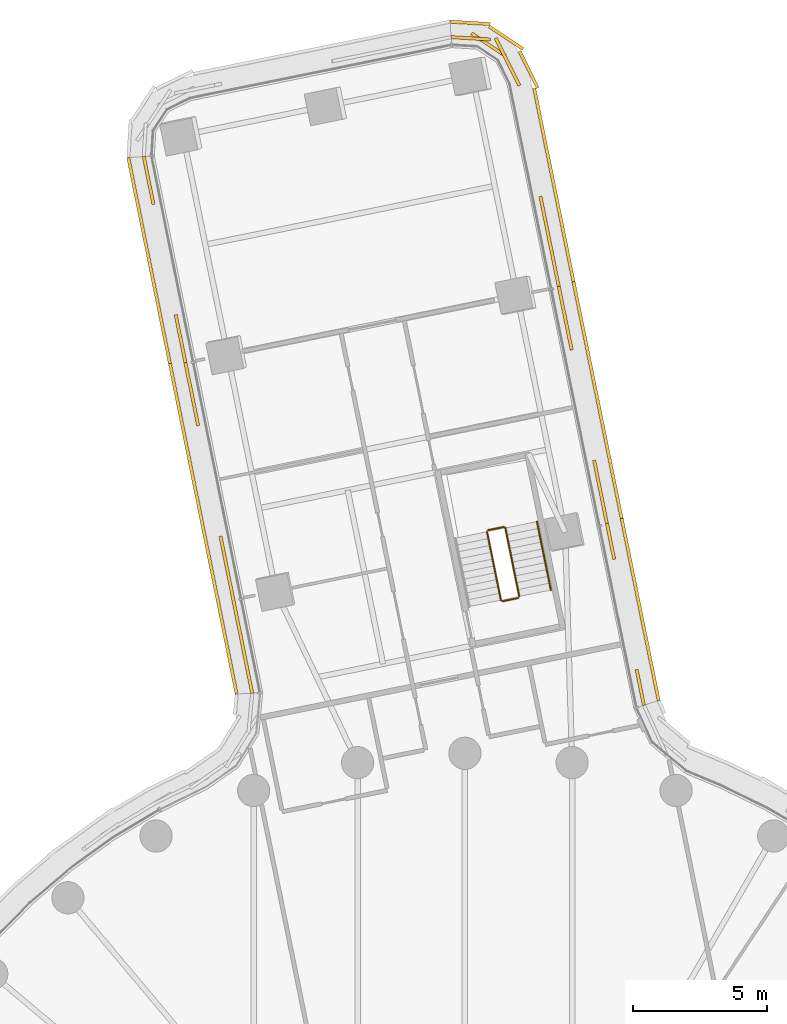
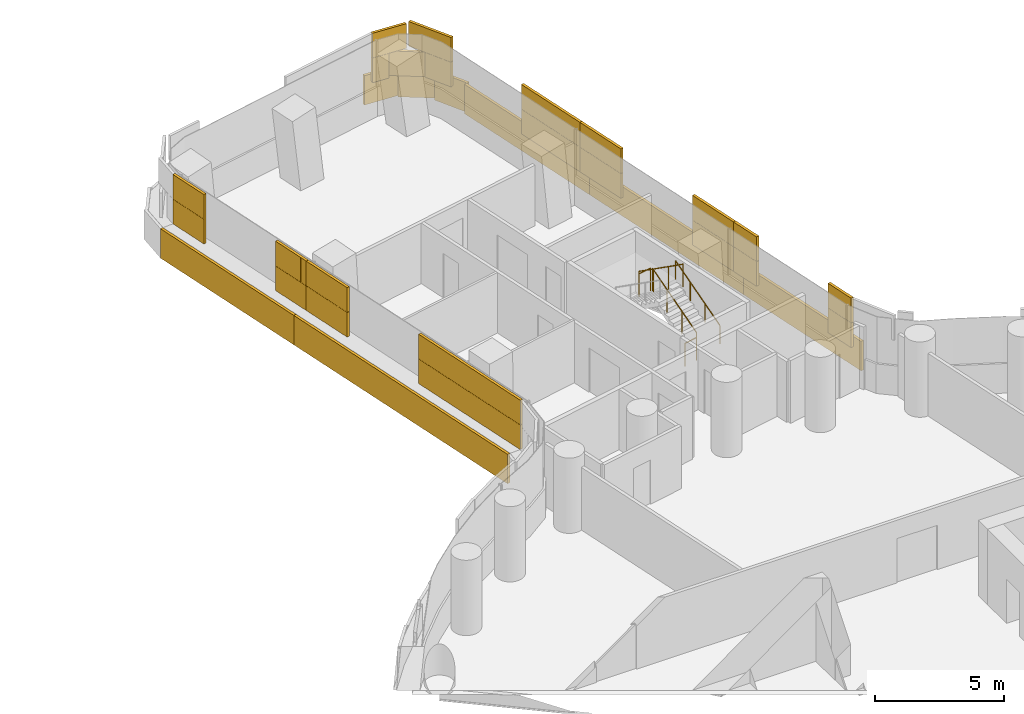
# One storey, part 30 of 31: 5 coverings, 5 railings.
"""IFC4 building model written with IfcOpenShell, lengths in metres."""

from ifc_helpers import new_model, si_unit, direction, frame, origin, origin_2d, place, context, subcontext, project, spatial, rectangle, circle, extrude, material, layer, layer_set, type_object, element, save


model = new_model("IFC4")

# Units and contexts
model_context = context("Model", 3, precision=1e-05, world=origin(), true_north=direction((0.0, 1.0)))
body_context = subcontext(model_context, "Body", "Model", "MODEL_VIEW")
ifc_project = project(units=[si_unit("LENGTHUNIT", "METRE"), si_unit("AREAUNIT", "SQUARE_METRE"), si_unit("VOLUMEUNIT", "CUBIC_METRE"), si_unit("PLANEANGLEUNIT", "RADIAN"), si_unit("MASSUNIT", "GRAM", prefix="KILO")], contexts=[model_context])

# Site, building, storey
site_placement = place(None, origin())
site = spatial("IfcSite", under=ifc_project, at=site_placement, CompositionType="ELEMENT")
building_placement = place(site_placement, origin())
building = spatial("IfcBuilding", under=site, at=building_placement, Name="Tamarind Cross Interchange Tower", CompositionType="ELEMENT")
storey_placement = place(building_placement, frame((0.0, 0.0, 75.25)))
storey = spatial("IfcBuildingStorey", under=building, at=storey_placement, Name="L17", CompositionType="ELEMENT", Elevation=75.25)

# Railings
ifc_material_1 = material(Name="Stair guard")
railing_type_1 = type_object("IfcRailingType", Name="Stair guard", PredefinedType="GUARDRAIL", material=ifc_material_1)
railing_1_placement = place(storey_placement, frame((2.027587890625, 28.841064453125, 0.17041015625)))
element("IfcRailing", 1, at=railing_1_placement, inside=storey, type_object=railing_type_1, Name="L17 ST4 stair guard 1", PredefinedType="GUARDRAIL", context=body_context, shape_type="SweptSolid", body=[
    extrude(circle(Radius=0.02392578125, at=origin_2d()), frame((0.0, 0.0, 1.076171875), z_axis=(-0.166637125559, 0.819521697612, 0.548284830656), x_axis=(-0.979947229577, -0.199257188689, 0.0)), (0.0, 0.0, 1.0), 3.10888671875),
    extrude(circle(Radius=0.02099609375, at=origin_2d()), origin(), (0.0, 0.0, 1.0), 1.052001953125),
    extrude(circle(Radius=0.02099609375, at=origin_2d()), frame((-0.172607421875, 0.849365234375, 0.568115234375)), (0.0, 0.0, 1.0), 1.052001953125),
    extrude(circle(Radius=0.02099609375, at=origin_2d()), frame((-0.345458984375, 1.698486328125, 1.136474609375)), (0.0, 0.0, 1.0), 1.052001953125),
    extrude(circle(Radius=0.02099609375, at=origin_2d()), frame((-0.51806640625, 2.5478515625, 1.70458984375)), (0.0, 0.0, 1.0), 1.052001953125),
])
railing_2_placement = place(storey_placement, frame((1.45068359375, 31.427978515625, 1.875)))
element("IfcRailing", 2, at=railing_2_placement, inside=storey, type_object=railing_type_1, Name="L17 ST4 stair guard 2", PredefinedType="GUARDRAIL", context=body_context, shape_type="SweptSolid", body=[
    extrude(circle(Radius=0.02392578125, at=origin_2d()), frame((0.0, 0.0, 1.076171875), z_axis=(-0.980013351067, -0.198931726306, 0.0), x_axis=(0.198931726306, -0.980013351067, 0.0)), (0.0, 0.0, 1.0), 0.60009765625),
    extrude(circle(Radius=0.02099609375, at=origin_2d()), origin(), (0.0, 0.0, 1.0), 1.052001953125),
    extrude(circle(Radius=0.02099609375, at=origin_2d()), frame((-0.588134765625, -0.119384765625, 0.0)), (0.0, 0.0, 1.0), 1.052001953125),
])
railing_3_placement = place(storey_placement, frame((0.823486328125, 31.24951171875, 2.04541015625)))
element("IfcRailing", 3, at=railing_3_placement, inside=storey, type_object=railing_type_1, Name="L17 ST4 stair guard 3", PredefinedType="GUARDRAIL", context=body_context, shape_type="SweptSolid", body=[
    extrude(circle(Radius=0.02392578125, at=origin_2d()), frame((0.0, 0.0, 1.076171875), z_axis=(0.166637125559, -0.819521697612, 0.548284830656), x_axis=(0.979947229577, 0.199257188689, 0.0)), (0.0, 0.0, 1.0), 3.10888671875),
    extrude(circle(Radius=0.02099609375, at=origin_2d()), origin(), (0.0, 0.0, 1.0), 1.052001953125),
    extrude(circle(Radius=0.02099609375, at=origin_2d()), frame((0.172607421875, -0.849365234375, 0.568115234375)), (0.0, 0.0, 1.0), 1.052001953125),
    extrude(circle(Radius=0.02099609375, at=origin_2d()), frame((0.345458984375, -1.698486328125, 1.136474609375)), (0.0, 0.0, 1.0), 1.052001953125),
    extrude(circle(Radius=0.02099609375, at=origin_2d()), frame((0.51806640625, -2.5478515625, 1.70458984375)), (0.0, 0.0, 1.0), 1.052001953125),
])
railing_4_placement = place(storey_placement, frame((1.988525390625, 28.7822265625, 0.0)))
element("IfcRailing", 4, at=railing_4_placement, inside=storey, type_object=railing_type_1, Name="L17 ST4 stair guard 4", PredefinedType="GUARDRAIL", context=body_context, shape_type="SweptSolid", body=[
    extrude(circle(Radius=0.02392578125, at=origin_2d()), frame((0.0, 0.0, 1.076171875), z_axis=(-0.979917798202, -0.199401877541, 0.0), x_axis=(0.199401877541, -0.979917798202, 0.0)), (0.0, 0.0, 1.0), 0.599853515625),
    extrude(circle(Radius=0.02099609375, at=origin_2d()), origin(), (0.0, 0.0, 1.0), 1.052001953125),
    extrude(circle(Radius=0.02099609375, at=origin_2d()), frame((-0.587890625, -0.11962890625, 0.0)), (0.0, 0.0, 1.0), 1.052001953125),
])
ifc_material_2 = material(Name="Stair handrail")
railing_type_2 = type_object("IfcRailingType", Name="Stair handrail", PredefinedType="HANDRAIL", material=ifc_material_2)
railing_5_placement = place(storey_placement, frame((3.20361328125, 29.080322265625, 0.17041015625)))
element("IfcRailing", 5, at=railing_5_placement, inside=storey, type_object=railing_type_2, Name="L17 ST4 stair handrail 1", PredefinedType="HANDRAIL", context=body_context, shape_type="SweptSolid", body=[
    extrude(circle(Radius=0.02392578125, at=origin_2d()), frame((0.0, 0.0, 0.8759765625), z_axis=(-0.166637125559, 0.819521697612, 0.548284830656), x_axis=(-0.979947229577, -0.199257188689, 0.0)), (0.0, 0.0, 1.0), 3.10888671875),
    extrude(circle(Radius=0.02099609375, at=origin_2d()), origin(), (0.0, 0.0, 1.0), 0.851806640625),
    extrude(circle(Radius=0.02099609375, at=origin_2d()), frame((-0.172607421875, 0.849365234375, 0.568115234375)), (0.0, 0.0, 1.0), 0.851806640625),
    extrude(circle(Radius=0.02099609375, at=origin_2d()), frame((-0.345458984375, 1.698486328125, 1.136474609375)), (0.0, 0.0, 1.0), 0.851806640625),
    extrude(circle(Radius=0.02099609375, at=origin_2d()), frame((-0.51806640625, 2.5478515625, 1.70458984375)), (0.0, 0.0, 1.0), 0.851806640625),
])

# Coverings
ifc_material_3 = material(Name="Terracotta", Category="masonry")
ifc_layer = layer(ifc_material_3, 0.1201171875)
ifc_layer_set = layer_set([ifc_layer], Name="Terracotta")
covering_type = type_object("IfcCoveringType", Name="Terracotta baguette screen unit", PredefinedType="MOLDING", material=ifc_layer_set)
covering_1_placement = place(storey_placement, origin())
element("IfcCovering", 6, at=covering_1_placement, inside=storey, type_object=covering_type, Name="SCR-L17-11-00", PredefinedType="MOLDING", context=body_context, shape_type="SweptSolid", body=[
    extrude(rectangle(XDim=0.760009765625, YDim=0.1201171875, at=origin_2d()), frame((6.593505859375, 25.15576171875, 1.404052734375), z_axis=(0.0, 0.0, 1.0), x_axis=(-0.199244791873, 0.979949750197, 0.0)), (0.0, 0.0, 1.0), 1.1669921875),
    extrude(rectangle(XDim=0.613525390625, YDim=0.1201171875, at=origin_2d()), frame((6.45849609375, 25.81884765625, 1.404052734375), z_axis=(0.0, 0.0, 1.0), x_axis=(-0.199244791873, 0.979949750197, 0.0)), (0.0, 0.0, 1.0), 1.1669921875),
    extrude(rectangle(XDim=1.20654296875, YDim=0.1201171875, at=origin_2d()), frame((5.4423828125, 30.816650390625, 1.404052734375), z_axis=(0.0, 0.0, 1.0), x_axis=(-0.199244791873, 0.979949750197, 0.0)), (0.0, 0.0, 1.0), 1.1669921875),
    extrude(rectangle(XDim=0.1669921875, YDim=0.1201171875, at=origin_2d()), frame((5.3076171875, 31.479736328125, 1.404052734375), z_axis=(0.0, 0.0, 1.0), x_axis=(-0.199244791873, 0.979949750197, 0.0)), (0.0, 0.0, 1.0), 1.1669921875),
    extrude(rectangle(XDim=1.353515625, YDim=0.1201171875, at=origin_2d()), frame((6.533447265625, 25.451416015625, 2.5791015625), z_axis=(0.0, 0.0, 1.0), x_axis=(-0.199244791873, 0.979949750197, 0.0)), (0.0, 0.0, 1.0), 1.1669921875),
    extrude(rectangle(XDim=0.45654296875, YDim=0.1201171875, at=origin_2d()), frame((5.51708984375, 30.44921875, 2.5791015625), z_axis=(0.0, 0.0, 1.0), x_axis=(-0.199244791873, 0.979949750197, 0.0)), (0.0, 0.0, 1.0), 1.1669921875),
    extrude(rectangle(XDim=0.9169921875, YDim=0.1201171875, at=origin_2d()), frame((5.38232421875, 31.1123046875, 2.5791015625), z_axis=(0.0, 0.0, 1.0), x_axis=(-0.199244791873, 0.979949750197, 0.0)), (0.0, 0.0, 1.0), 1.1669921875),
    extrude(rectangle(XDim=0.760009765625, YDim=0.1201171875, at=origin_2d()), frame((7.141845703125, 25.3388671875, 0.00390625), z_axis=(0.0, 0.0, 1.0), x_axis=(-0.199244791873, 0.979949750197, 0.0)), (0.0, 0.0, 1.0), 1.39208984375),
    extrude(rectangle(XDim=1.52001953125, YDim=0.1201171875, at=origin_2d()), frame((6.918701171875, 26.4365234375, 0.00390625), z_axis=(0.0, 0.0, 1.0), x_axis=(-0.199244791873, 0.979949750197, 0.0)), (0.0, 0.0, 1.0), 1.39208984375),
    extrude(rectangle(XDim=1.52001953125, YDim=0.1201171875, at=origin_2d()), frame((6.619873046875, 27.906494140625, 0.00390625), z_axis=(0.0, 0.0, 1.0), x_axis=(-0.199244791873, 0.979949750197, 0.0)), (0.0, 0.0, 1.0), 1.39208984375),
    extrude(rectangle(XDim=1.52001953125, YDim=0.1201171875, at=origin_2d()), frame((6.321044921875, 29.37646484375, 0.00390625), z_axis=(0.0, 0.0, 1.0), x_axis=(-0.199244791873, 0.979949750197, 0.0)), (0.0, 0.0, 1.0), 1.39208984375),
    extrude(rectangle(XDim=1.52001953125, YDim=0.1201171875, at=origin_2d()), frame((6.022216796875, 30.84619140625, 0.00390625), z_axis=(0.0, 0.0, 1.0), x_axis=(-0.199244791873, 0.979949750197, 0.0)), (0.0, 0.0, 1.0), 1.39208984375),
    extrude(rectangle(XDim=0.169921875, YDim=0.1201171875, at=origin_2d()), frame((5.85791015625, 31.65478515625, 0.00390625), z_axis=(0.0, 0.0, 1.0), x_axis=(-0.199244791873, 0.979949750197, 0.0)), (0.0, 0.0, 1.0), 1.39208984375),
])
covering_2_placement = place(storey_placement, origin())
element("IfcCovering", 7, at=covering_2_placement, inside=storey, type_object=covering_type, Name="SCR-L17-11-01", PredefinedType="MOLDING", context=body_context, shape_type="SweptSolid", body=[
    extrude(rectangle(XDim=1.35302734375, YDim=0.1201171875, at=origin_2d()), frame((5.158203125, 32.21484375, 1.404052734375), z_axis=(0.0, 0.0, 1.0), x_axis=(-0.199244791873, 0.979949750197, 0.0)), (0.0, 0.0, 1.0), 1.1669921875),
    extrude(rectangle(XDim=1.0673828125, YDim=0.1201171875, at=origin_2d()), frame((4.9189453125, 33.390869140625, 1.404052734375), z_axis=(0.0, 0.0, 1.0), x_axis=(-0.199244791873, 0.979949750197, 0.0)), (0.0, 0.0, 1.0), 1.1669921875),
    extrude(rectangle(XDim=0.752685546875, YDim=0.1201171875, at=origin_2d()), frame((3.90283203125, 38.388671875, 1.404052734375), z_axis=(0.0, 0.0, 1.0), x_axis=(-0.199244791873, 0.979949750197, 0.0)), (0.0, 0.0, 1.0), 1.1669921875),
    extrude(rectangle(XDim=1.52001953125, YDim=0.1201171875, at=origin_2d()), frame((3.679443359375, 39.4873046875, 1.404052734375), z_axis=(0.0, 0.0, 1.0), x_axis=(-0.199244791873, 0.979949750197, 0.0)), (0.0, 0.0, 1.0), 1.1669921875),
    extrude(rectangle(XDim=0.16748046875, YDim=0.1201171875, at=origin_2d()), frame((3.514404296875, 40.299560546875, 1.404052734375), z_axis=(0.0, 0.0, 1.0), x_axis=(-0.199244791873, 0.979949750197, 0.0)), (0.0, 0.0, 1.0), 1.1669921875),
    extrude(rectangle(XDim=0.60302734375, YDim=0.1201171875, at=origin_2d()), frame((5.23291015625, 31.84716796875, 2.5791015625), z_axis=(0.0, 0.0, 1.0), x_axis=(-0.199244791873, 0.979949750197, 0.0)), (0.0, 0.0, 1.0), 1.1669921875),
    extrude(rectangle(XDim=1.52001953125, YDim=0.1201171875, at=origin_2d()), frame((5.0244140625, 32.872802734375, 2.5791015625), z_axis=(0.0, 0.0, 1.0), x_axis=(-0.199244791873, 0.979949750197, 0.0)), (0.0, 0.0, 1.0), 1.1669921875),
    extrude(rectangle(XDim=0.3173828125, YDim=0.1201171875, at=origin_2d()), frame((4.84423828125, 33.75830078125, 2.5791015625), z_axis=(0.0, 0.0, 1.0), x_axis=(-0.199244791873, 0.979949750197, 0.0)), (0.0, 0.0, 1.0), 1.1669921875),
    extrude(rectangle(XDim=1.502685546875, YDim=0.1201171875, at=origin_2d()), frame((3.828125, 38.756103515625, 2.5791015625), z_axis=(0.0, 0.0, 1.0), x_axis=(-0.199244791873, 0.979949750197, 0.0)), (0.0, 0.0, 1.0), 1.1669921875),
    extrude(rectangle(XDim=0.91748046875, YDim=0.1201171875, at=origin_2d()), frame((3.589111328125, 39.93212890625, 2.5791015625), z_axis=(0.0, 0.0, 1.0), x_axis=(-0.199244791873, 0.979949750197, 0.0)), (0.0, 0.0, 1.0), 1.1669921875),
    extrude(rectangle(XDim=1.349853515625, YDim=0.1201171875, at=origin_2d()), frame((5.706298828125, 32.3994140625, 0.00390625), z_axis=(0.0, 0.0, 1.0), x_axis=(-0.199244791873, 0.979949750197, 0.0)), (0.0, 0.0, 1.0), 1.39208984375),
    extrude(rectangle(XDim=1.52001953125, YDim=0.1201171875, at=origin_2d()), frame((5.42431640625, 33.7861328125, 0.00390625), z_axis=(0.0, 0.0, 1.0), x_axis=(-0.199244791873, 0.979949750197, 0.0)), (0.0, 0.0, 1.0), 1.39208984375),
    extrude(rectangle(XDim=1.52001953125, YDim=0.1201171875, at=origin_2d()), frame((5.12548828125, 35.256103515625, 0.00390625), z_axis=(0.0, 0.0, 1.0), x_axis=(-0.199244791873, 0.979949750197, 0.0)), (0.0, 0.0, 1.0), 1.39208984375),
    extrude(rectangle(XDim=1.52001953125, YDim=0.1201171875, at=origin_2d()), frame((4.82666015625, 36.72607421875, 0.00390625), z_axis=(0.0, 0.0, 1.0), x_axis=(-0.199244791873, 0.979949750197, 0.0)), (0.0, 0.0, 1.0), 1.39208984375),
    extrude(rectangle(XDim=1.52001953125, YDim=0.1201171875, at=origin_2d()), frame((4.52783203125, 38.19580078125, 0.00390625), z_axis=(0.0, 0.0, 1.0), x_axis=(-0.199244791873, 0.979949750197, 0.0)), (0.0, 0.0, 1.0), 1.39208984375),
    extrude(rectangle(XDim=1.52001953125, YDim=0.1201171875, at=origin_2d()), frame((4.22900390625, 39.665771484375, 0.00390625), z_axis=(0.0, 0.0, 1.0), x_axis=(-0.199244791873, 0.979949750197, 0.0)), (0.0, 0.0, 1.0), 1.39208984375),
    extrude(rectangle(XDim=0.17431640625, YDim=0.1201171875, at=origin_2d()), frame((4.064208984375, 40.4765625, 0.00390625), z_axis=(0.0, 0.0, 1.0), x_axis=(-0.199244791873, 0.979949750197, 0.0)), (0.0, 0.0, 1.0), 1.39208984375),
])
covering_3_placement = place(storey_placement, origin())
element("IfcCovering", 8, at=covering_3_placement, inside=storey, type_object=covering_type, Name="SCR-L17-11-02", PredefinedType="MOLDING", context=body_context, shape_type="SweptSolid", body=[
    extrude(rectangle(XDim=1.3525390625, YDim=0.1201171875, at=origin_2d()), frame((3.364990234375, 41.03466796875, 1.404052734375), z_axis=(0.0, 0.0, 1.0), x_axis=(-0.199244791873, 0.979949750197, 0.0)), (0.0, 0.0, 1.0), 1.1669921875),
    extrude(rectangle(XDim=1.52001953125, YDim=0.1201171875, at=origin_2d()), frame((3.081787109375, 42.42724609375, 1.404052734375), z_axis=(0.0, 0.0, 1.0), x_axis=(-0.199244791873, 0.979949750197, 0.0)), (0.0, 0.0, 1.0), 1.1669921875),
    extrude(rectangle(XDim=0.594970703125, YDim=0.1201171875, at=origin_2d()), frame((2.8740234375, 43.44873046875, 1.404052734375), z_axis=(0.0, 0.0, 1.0), x_axis=(-0.199244791873, 0.979949750197, 0.0)), (0.0, 0.0, 1.0), 1.1669921875),
    extrude(rectangle(XDim=1.22509765625, YDim=0.1201171875, at=origin_2d()), frame((1.757568359375, 48.412109375, 1.404052734375), z_axis=(0.0, 0.0, 1.0), x_axis=(-0.446085348818, 0.894990425407, 0.0)), (0.0, 0.0, 1.0), 1.1669921875),
    extrude(rectangle(XDim=1.52001953125, YDim=0.1201171875, at=origin_2d()), frame((0.883544921875, 49.3896484375, 1.404052734375), z_axis=(0.0, 0.0, 1.0), x_axis=(-0.833816457036, 0.552041770137, 0.0)), (0.0, 0.0, 1.0), 1.1669921875),
    extrude(rectangle(XDim=0.72216796875, YDim=0.1201171875, at=origin_2d()), frame((-0.15625, 49.649169921875, 1.404052734375), z_axis=(0.0, 0.0, 1.0), x_axis=(-0.998127118955, 0.061173968371, 0.0)), (0.0, 0.0, 1.0), 1.1669921875),
    extrude(rectangle(XDim=0.6025390625, YDim=0.1201171875, at=origin_2d()), frame((3.439697265625, 40.6669921875, 2.5791015625), z_axis=(0.0, 0.0, 1.0), x_axis=(-0.199244791873, 0.979949750197, 0.0)), (0.0, 0.0, 1.0), 1.1669921875),
    extrude(rectangle(XDim=1.52001953125, YDim=0.1201171875, at=origin_2d()), frame((3.231201171875, 41.6923828125, 2.5791015625), z_axis=(0.0, 0.0, 1.0), x_axis=(-0.199244791873, 0.979949750197, 0.0)), (0.0, 0.0, 1.0), 1.1669921875),
    extrude(rectangle(XDim=1.344970703125, YDim=0.1201171875, at=origin_2d()), frame((2.94873046875, 43.081298828125, 2.5791015625), z_axis=(0.0, 0.0, 1.0), x_axis=(-0.199244791873, 0.979949750197, 0.0)), (0.0, 0.0, 1.0), 1.1669921875),
    extrude(rectangle(XDim=0.47509765625, YDim=0.1201171875, at=origin_2d()), frame((1.9248046875, 48.076416015625, 2.5791015625), z_axis=(0.0, 0.0, 1.0), x_axis=(-0.446085348818, 0.894990425407, 0.0)), (0.0, 0.0, 1.0), 1.1669921875),
    extrude(rectangle(XDim=1.52001953125, YDim=0.1201171875, at=origin_2d()), frame((1.486572265625, 48.955810546875, 2.5791015625), z_axis=(0.0, 0.0, 1.0), x_axis=(-0.446085348818, 0.894990425407, 0.0)), (0.0, 0.0, 1.0), 1.1669921875),
    extrude(rectangle(XDim=1.47216796875, YDim=0.1201171875, at=origin_2d()), frame((0.218017578125, 49.626220703125, 2.5791015625), z_axis=(0.0, 0.0, 1.0), x_axis=(-0.998127118955, 0.061173968371, 0.0)), (0.0, 0.0, 1.0), 1.1669921875),
    extrude(rectangle(XDim=1.345458984375, YDim=0.1201171875, at=origin_2d()), frame((3.912841796875, 41.22119140625, 0.00390625), z_axis=(0.0, 0.0, 1.0), x_axis=(-0.199244791873, 0.979949750197, 0.0)), (0.0, 0.0, 1.0), 1.39208984375),
    extrude(rectangle(XDim=1.52001953125, YDim=0.1201171875, at=origin_2d()), frame((3.63134765625, 42.605712890625, 0.00390625), z_axis=(0.0, 0.0, 1.0), x_axis=(-0.199244791873, 0.979949750197, 0.0)), (0.0, 0.0, 1.0), 1.39208984375),
    extrude(rectangle(XDim=1.52001953125, YDim=0.1201171875, at=origin_2d()), frame((3.332275390625, 44.07568359375, 0.00390625), z_axis=(0.0, 0.0, 1.0), x_axis=(-0.199244791873, 0.979949750197, 0.0)), (0.0, 0.0, 1.0), 1.39208984375),
    extrude(rectangle(XDim=1.52001953125, YDim=0.1201171875, at=origin_2d()), frame((3.033447265625, 45.54541015625, 0.00390625), z_axis=(0.0, 0.0, 1.0), x_axis=(-0.199244791873, 0.979949750197, 0.0)), (0.0, 0.0, 1.0), 1.39208984375),
    extrude(rectangle(XDim=1.52001953125, YDim=0.1201171875, at=origin_2d()), frame((2.734619140625, 47.015380859375, 0.00390625), z_axis=(0.0, 0.0, 1.0), x_axis=(-0.199244791873, 0.979949750197, 0.0)), (0.0, 0.0, 1.0), 1.39208984375),
    extrude(rectangle(XDim=1.52001953125, YDim=0.1201171875, at=origin_2d()), frame((2.373291015625, 48.4638671875, 0.00390625), z_axis=(0.0, 0.0, 1.0), x_axis=(-0.446085348818, 0.894990425407, 0.0)), (0.0, 0.0, 1.0), 1.39208984375),
    extrude(rectangle(XDim=1.52001953125, YDim=0.1201171875, at=origin_2d()), frame((1.5283203125, 49.65087890625, 0.00390625), z_axis=(0.0, 0.0, 1.0), x_axis=(-0.833816457036, 0.552041770137, 0.0)), (0.0, 0.0, 1.0), 1.39208984375),
    extrude(rectangle(XDim=1.498779296875, YDim=0.1201171875, at=origin_2d()), frame((0.196044921875, 50.20263671875, 0.00390625), z_axis=(0.0, 0.0, 1.0), x_axis=(-0.998127118955, 0.061173968371, 0.0)), (0.0, 0.0, 1.0), 1.39208984375),
])
covering_4_placement = place(storey_placement, origin())
element("IfcCovering", 9, at=covering_4_placement, inside=storey, type_object=covering_type, Name="SCR-L17-13-00", PredefinedType="MOLDING", context=body_context, shape_type="SweptSolid", body=[
    extrude(rectangle(XDim=0.760009765625, YDim=0.1201171875, at=origin_2d()), frame((-11.882568359375, 44.855712890625, 1.404052734375), z_axis=(0.0, 0.0, 1.0), x_axis=(0.19802282903, -0.980197408272, 0.0)), (0.0, 0.0, 1.0), 1.1669921875),
    extrude(rectangle(XDim=1.07373046875, YDim=0.1201171875, at=origin_2d()), frame((-11.702880859375, 43.966796875, 1.404052734375), z_axis=(0.0, 0.0, 1.0), x_axis=(0.19802282903, -0.980197408272, 0.0)), (0.0, 0.0, 1.0), 1.1669921875),
    extrude(rectangle(XDim=0.746337890625, YDim=0.1201171875, at=origin_2d()), frame((-10.693115234375, 38.9677734375, 1.404052734375), z_axis=(0.0, 0.0, 1.0), x_axis=(0.19802282903, -0.980197408272, 0.0)), (0.0, 0.0, 1.0), 1.1669921875),
    extrude(rectangle(XDim=1.08740234375, YDim=0.1201171875, at=origin_2d()), frame((-10.513427734375, 38.078857421875, 1.404052734375), z_axis=(0.0, 0.0, 1.0), x_axis=(0.19802282903, -0.980197408272, 0.0)), (0.0, 0.0, 1.0), 1.1669921875),
    extrude(rectangle(XDim=1.510009765625, YDim=0.1201171875, at=origin_2d()), frame((-11.808349609375, 44.488037109375, 2.5791015625), z_axis=(0.0, 0.0, 1.0), x_axis=(0.19802282903, -0.980197408272, 0.0)), (0.0, 0.0, 1.0), 1.1669921875),
    extrude(rectangle(XDim=0.32373046875, YDim=0.1201171875, at=origin_2d()), frame((-11.628662109375, 43.59912109375, 2.5791015625), z_axis=(0.0, 0.0, 1.0), x_axis=(0.19802282903, -0.980197408272, 0.0)), (0.0, 0.0, 1.0), 1.1669921875),
    extrude(rectangle(XDim=1.496337890625, YDim=0.1201171875, at=origin_2d()), frame((-10.618896484375, 38.60009765625, 2.5791015625), z_axis=(0.0, 0.0, 1.0), x_axis=(0.19802282903, -0.980197408272, 0.0)), (0.0, 0.0, 1.0), 1.1669921875),
    extrude(rectangle(XDim=0.33740234375, YDim=0.1201171875, at=origin_2d()), frame((-10.439208984375, 37.711181640625, 2.5791015625), z_axis=(0.0, 0.0, 1.0), x_axis=(0.19802282903, -0.980197408272, 0.0)), (0.0, 0.0, 1.0), 1.1669921875),
    extrude(rectangle(XDim=0.760009765625, YDim=0.1201171875, at=origin_2d()), frame((-12.459228515625, 44.810791015625, 0.00390625), z_axis=(0.0, 0.0, 1.0), x_axis=(0.19802282903, -0.980197408272, 0.0)), (0.0, 0.0, 1.0), 1.39208984375),
    extrude(rectangle(XDim=1.52001953125, YDim=0.1201171875, at=origin_2d()), frame((-12.2373046875, 43.712890625, 0.00390625), z_axis=(0.0, 0.0, 1.0), x_axis=(0.19802282903, -0.980197408272, 0.0)), (0.0, 0.0, 1.0), 1.39208984375),
    extrude(rectangle(XDim=1.52001953125, YDim=0.1201171875, at=origin_2d()), frame((-11.940185546875, 42.24267578125, 0.00390625), z_axis=(0.0, 0.0, 1.0), x_axis=(0.19802282903, -0.980197408272, 0.0)), (0.0, 0.0, 1.0), 1.39208984375),
    extrude(rectangle(XDim=1.52001953125, YDim=0.1201171875, at=origin_2d()), frame((-11.643310546875, 40.7724609375, 0.00390625), z_axis=(0.0, 0.0, 1.0), x_axis=(0.19802282903, -0.980197408272, 0.0)), (0.0, 0.0, 1.0), 1.39208984375),
    extrude(rectangle(XDim=1.52001953125, YDim=0.1201171875, at=origin_2d()), frame((-11.34619140625, 39.302001953125, 0.00390625), z_axis=(0.0, 0.0, 1.0), x_axis=(0.19802282903, -0.980197408272, 0.0)), (0.0, 0.0, 1.0), 1.39208984375),
    extrude(rectangle(XDim=1.083740234375, YDim=0.1201171875, at=origin_2d()), frame((-11.09228515625, 38.045654296875, 0.00390625), z_axis=(0.0, 0.0, 1.0), x_axis=(0.19802282903, -0.980197408272, 0.0)), (0.0, 0.0, 1.0), 1.39208984375),
])
covering_5_placement = place(storey_placement, origin())
element("IfcCovering", 10, at=covering_5_placement, inside=storey, type_object=covering_type, Name="SCR-L17-13-01", PredefinedType="MOLDING", context=body_context, shape_type="SweptSolid", body=[
    extrude(rectangle(XDim=0.432373046875, YDim=0.1201171875, at=origin_2d()), frame((-10.364990234375, 37.34375, 1.404052734375), z_axis=(0.0, 0.0, 1.0), x_axis=(0.19802282903, -0.980197408272, 0.0)), (0.0, 0.0, 1.0), 1.1669921875),
    extrude(rectangle(XDim=1.52001953125, YDim=0.1201171875, at=origin_2d()), frame((-10.174560546875, 36.4013671875, 1.404052734375), z_axis=(0.0, 0.0, 1.0), x_axis=(0.19802282903, -0.980197408272, 0.0)), (0.0, 0.0, 1.0), 1.1669921875),
    extrude(rectangle(XDim=0.487060546875, YDim=0.1201171875, at=origin_2d()), frame((-9.978759765625, 35.432373046875, 1.404052734375), z_axis=(0.0, 0.0, 1.0), x_axis=(0.19802282903, -0.980197408272, 0.0)), (0.0, 0.0, 1.0), 1.1669921875),
    extrude(rectangle(XDim=1.332763671875, YDim=0.1201171875, at=origin_2d()), frame((-8.968994140625, 30.43359375, 1.404052734375), z_axis=(0.0, 0.0, 1.0), x_axis=(0.19802282903, -0.980197408272, 0.0)), (0.0, 0.0, 1.0), 1.1669921875),
    extrude(rectangle(XDim=1.52001953125, YDim=0.1201171875, at=origin_2d()), frame((-8.689453125, 29.050048828125, 1.404052734375), z_axis=(0.0, 0.0, 1.0), x_axis=(0.19802282903, -0.980197408272, 0.0)), (0.0, 0.0, 1.0), 1.1669921875),
    extrude(rectangle(XDim=1.52001953125, YDim=0.1201171875, at=origin_2d()), frame((-8.392333984375, 27.57958984375, 1.404052734375), z_axis=(0.0, 0.0, 1.0), x_axis=(0.19802282903, -0.980197408272, 0.0)), (0.0, 0.0, 1.0), 1.1669921875),
    extrude(rectangle(XDim=1.52001953125, YDim=0.1201171875, at=origin_2d()), frame((-8.095458984375, 26.109375, 1.404052734375), z_axis=(0.0, 0.0, 1.0), x_axis=(0.19802282903, -0.980197408272, 0.0)), (0.0, 0.0, 1.0), 1.1669921875),
    extrude(rectangle(XDim=0.14892578125, YDim=0.1201171875, at=origin_2d()), frame((-7.93310546875, 25.30615234375, 1.404052734375), z_axis=(0.0, 0.0, 1.0), x_axis=(0.19802282903, -0.980197408272, 0.0)), (0.0, 0.0, 1.0), 1.1669921875),
    extrude(rectangle(XDim=1.182373046875, YDim=0.1201171875, at=origin_2d()), frame((-10.290771484375, 36.97607421875, 2.5791015625), z_axis=(0.0, 0.0, 1.0), x_axis=(0.19802282903, -0.980197408272, 0.0)), (0.0, 0.0, 1.0), 1.1669921875),
    extrude(rectangle(XDim=1.237060546875, YDim=0.1201171875, at=origin_2d()), frame((-10.05322265625, 35.800048828125, 2.5791015625), z_axis=(0.0, 0.0, 1.0), x_axis=(0.19802282903, -0.980197408272, 0.0)), (0.0, 0.0, 1.0), 1.1669921875),
    extrude(rectangle(XDim=0.582763671875, YDim=0.1201171875, at=origin_2d()), frame((-9.043212890625, 30.801025390625, 2.5791015625), z_axis=(0.0, 0.0, 1.0), x_axis=(0.19802282903, -0.980197408272, 0.0)), (0.0, 0.0, 1.0), 1.1669921875),
    extrude(rectangle(XDim=1.52001953125, YDim=0.1201171875, at=origin_2d()), frame((-8.837890625, 29.78515625, 2.5791015625), z_axis=(0.0, 0.0, 1.0), x_axis=(0.19802282903, -0.980197408272, 0.0)), (0.0, 0.0, 1.0), 1.1669921875),
    extrude(rectangle(XDim=1.52001953125, YDim=0.1201171875, at=origin_2d()), frame((-8.541015625, 28.31494140625, 2.5791015625), z_axis=(0.0, 0.0, 1.0), x_axis=(0.19802282903, -0.980197408272, 0.0)), (0.0, 0.0, 1.0), 1.1669921875),
    extrude(rectangle(XDim=1.52001953125, YDim=0.1201171875, at=origin_2d()), frame((-8.243896484375, 26.844482421875, 2.5791015625), z_axis=(0.0, 0.0, 1.0), x_axis=(0.19802282903, -0.980197408272, 0.0)), (0.0, 0.0, 1.0), 1.1669921875),
    extrude(rectangle(XDim=0.89892578125, YDim=0.1201171875, at=origin_2d()), frame((-8.00732421875, 25.673828125, 2.5791015625), z_axis=(0.0, 0.0, 1.0), x_axis=(0.19802282903, -0.980197408272, 0.0)), (0.0, 0.0, 1.0), 1.1669921875),
    extrude(rectangle(XDim=0.436279296875, YDim=0.1201171875, at=origin_2d()), frame((-10.94189453125, 37.30078125, 0.00390625), z_axis=(0.0, 0.0, 1.0), x_axis=(0.19802282903, -0.980197408272, 0.0)), (0.0, 0.0, 1.0), 1.39208984375),
    extrude(rectangle(XDim=1.52001953125, YDim=0.1201171875, at=origin_2d()), frame((-10.752197265625, 36.361572265625, 0.00390625), z_axis=(0.0, 0.0, 1.0), x_axis=(0.19802282903, -0.980197408272, 0.0)), (0.0, 0.0, 1.0), 1.39208984375),
    extrude(rectangle(XDim=1.52001953125, YDim=0.1201171875, at=origin_2d()), frame((-10.455078125, 34.89111328125, 0.00390625), z_axis=(0.0, 0.0, 1.0), x_axis=(0.19802282903, -0.980197408272, 0.0)), (0.0, 0.0, 1.0), 1.39208984375),
    extrude(rectangle(XDim=1.52001953125, YDim=0.1201171875, at=origin_2d()), frame((-10.158203125, 33.4208984375, 0.00390625), z_axis=(0.0, 0.0, 1.0), x_axis=(0.19802282903, -0.980197408272, 0.0)), (0.0, 0.0, 1.0), 1.39208984375),
    extrude(rectangle(XDim=1.52001953125, YDim=0.1201171875, at=origin_2d()), frame((-9.861083984375, 31.95068359375, 0.00390625), z_axis=(0.0, 0.0, 1.0), x_axis=(0.19802282903, -0.980197408272, 0.0)), (0.0, 0.0, 1.0), 1.39208984375),
    extrude(rectangle(XDim=1.52001953125, YDim=0.1201171875, at=origin_2d()), frame((-9.56396484375, 30.480224609375, 0.00390625), z_axis=(0.0, 0.0, 1.0), x_axis=(0.19802282903, -0.980197408272, 0.0)), (0.0, 0.0, 1.0), 1.39208984375),
    extrude(rectangle(XDim=1.52001953125, YDim=0.1201171875, at=origin_2d()), frame((-9.26708984375, 29.010009765625, 0.00390625), z_axis=(0.0, 0.0, 1.0), x_axis=(0.19802282903, -0.980197408272, 0.0)), (0.0, 0.0, 1.0), 1.39208984375),
    extrude(rectangle(XDim=1.52001953125, YDim=0.1201171875, at=origin_2d()), frame((-8.969970703125, 27.539794921875, 0.00390625), z_axis=(0.0, 0.0, 1.0), x_axis=(0.19802282903, -0.980197408272, 0.0)), (0.0, 0.0, 1.0), 1.39208984375),
    extrude(rectangle(XDim=1.52001953125, YDim=0.1201171875, at=origin_2d()), frame((-8.6728515625, 26.0693359375, 0.00390625), z_axis=(0.0, 0.0, 1.0), x_axis=(0.19802282903, -0.980197408272, 0.0)), (0.0, 0.0, 1.0), 1.39208984375),
    extrude(rectangle(XDim=0.13916015625, YDim=0.1201171875, at=origin_2d()), frame((-8.5126953125, 25.27587890625, 0.00390625), z_axis=(0.0, 0.0, 1.0), x_axis=(0.19802282903, -0.980197408272, 0.0)), (0.0, 0.0, 1.0), 1.39208984375),
])

save(model, "model.ifc")
